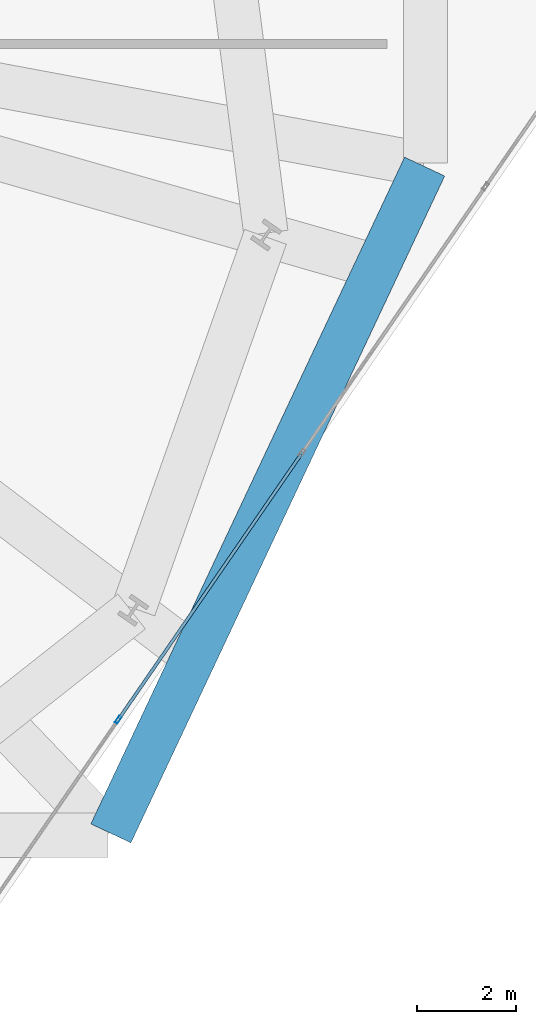
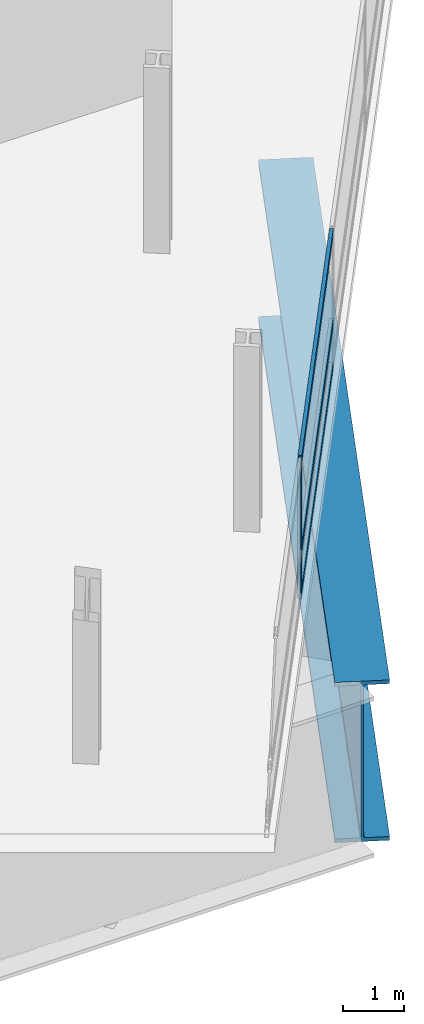
# One storey, part 8 of 26: 4 members, 1 beam, 1 element without a shape of its own.
"""IFC4 building model written with IfcOpenShell, lengths in metres."""

import ifcopenshell
import ifcopenshell.guid

model = None  # the IFC model being written
_history = None  # IfcOwnerHistory: only IFC2X3 demands one
_inside = {}  # id of a spatial element -> (the spatial element, [elements in it])
_under = {}  # id of a project, library or spatial element -> (it, [spatial elements below it])
_declared = {}  # id of a project -> (the project, [libraries it declares])
_typed = {}  # id of a type object -> (the type object, [elements of that type])
_made_of = {}  # id of a material, layer set ... -> (it, [elements and type objects made of it])


def new_model(schema):
    """Start an empty IFC model of exactly this schema.

    Asked for "IFC4X3", IfcOpenShell would pick the latest addendum, in which some entities
    have other attributes; the version numbers below select the first issue.
    IFC2X3 requires an IfcOwnerHistory on every rooted entity: one is made here for all.
    """
    global model, _history
    if schema == "IFC4X3":
        model = ifcopenshell.file(schema_version=(4, 3, 0, 0))
    else:
        model = ifcopenshell.file(schema=schema)
    _inside.clear()
    _under.clear()
    _declared.clear()
    _typed.clear()
    _made_of.clear()
    _history = None
    if model.schema == "IFC2X3":
        org = make("IfcOrganization", Name="unknown")
        user = make(
            "IfcPersonAndOrganization",
            ThePerson=make("IfcPerson", FamilyName="unknown"),
            TheOrganization=org,
        )
        app = make(
            "IfcApplication",
            ApplicationDeveloper=org,
            Version="unknown",
            ApplicationFullName="unknown",
            ApplicationIdentifier="unknown",
        )
        _history = make(
            "IfcOwnerHistory",
            OwningUser=user,
            OwningApplication=app,
            ChangeAction="ADDED",
            CreationDate=0,
        )
    return model


def make(cls, **values):
    """One entity of the class cls with the attributes given. An attribute that is None is left unset."""
    return model.create_entity(
        cls, **{name: value for name, value in values.items() if value is not None}
    )


def rooted(cls, **values):
    """An entity with a GlobalId (a new one), such as an element, a storey or a relation."""
    return make(cls, GlobalId=ifcopenshell.guid.new(), OwnerHistory=_history, **values)


def si_unit(unit_type, name, prefix=None):
    """IfcSIUnit, for example si_unit("LENGTHUNIT", "METRE", prefix="MILLI")."""
    return make("IfcSIUnit", UnitType=unit_type, Prefix=prefix, Name=name)


def assignment(units):
    """IfcUnitAssignment: the units of a project."""
    return None if units is None else make("IfcUnitAssignment", Units=units)


def point(xyz):
    """IfcCartesianPoint."""
    return None if xyz is None else make("IfcCartesianPoint", Coordinates=xyz)


def direction(xyz):
    """IfcDirection."""
    return None if xyz is None else make("IfcDirection", DirectionRatios=xyz)


def frame(location, z_axis=None, x_axis=None):
    """IfcAxis2Placement3D, a coordinate frame: its origin and axes. An axis left out is left unset."""
    return make(
        "IfcAxis2Placement3D",
        Location=point(location),
        Axis=direction(z_axis),
        RefDirection=direction(x_axis),
    )


def frame_2d(location, x_axis=None):
    """IfcAxis2Placement2D, a coordinate frame in the plane: its origin and x axis."""
    return make(
        "IfcAxis2Placement2D", Location=point(location), RefDirection=direction(x_axis)
    )


def origin():
    """The frame at (0, 0, 0) with its axes left unset."""
    return frame((0.0, 0.0, 0.0))


def origin_2d():
    """The frame at (0, 0) in the plane with its x axis left unset."""
    return frame_2d((0.0, 0.0))


def place(relative_to, where):
    """IfcLocalPlacement: puts the frame where relative to a parent placement (None: the world)."""
    return make(
        "IfcLocalPlacement", PlacementRelTo=relative_to, RelativePlacement=where
    )


def context(
    kind, dimensions, precision=None, world=None, true_north=None, identifier=None
):
    """IfcGeometricRepresentationContext, for example the 3D "Model" context."""
    return make(
        "IfcGeometricRepresentationContext",
        ContextIdentifier=identifier,
        ContextType=kind,
        CoordinateSpaceDimension=dimensions,
        Precision=precision,
        WorldCoordinateSystem=world,
        TrueNorth=true_north,
    )


def subcontext(parent, identifier, kind, view, scale=None):
    """IfcGeometricRepresentationSubContext, for example "Body" below "Model"."""
    return make(
        "IfcGeometricRepresentationSubContext",
        ContextIdentifier=identifier,
        ContextType=kind,
        ParentContext=parent,
        TargetScale=scale,
        TargetView=view,
    )


def project(units=None, contexts=None):
    """IfcProject with its units and contexts."""
    return rooted(
        "IfcProject",
        Name="project",
        RepresentationContexts=contexts,
        UnitsInContext=assignment(units),
    )


def spatial(cls, under=None, at=None, **own):
    """A site, building, storey or space (cls), placed at a placement, below another one or the project."""
    s = rooted(cls, ObjectPlacement=at, **own)
    if under is not None:
        _under.setdefault(under.id(), (under, []))[1].append(s)
    return s


def profile(cls, at=None, kind="AREA", **sizes):
    """A parametric profile (cls). Its sizes go by their IFC names, for example OverallWidth=200.0."""
    return make(cls, ProfileType=kind, Position=at, **sizes)


def hollow_rectangle(**sizes):
    """IfcRectangleHollowProfileDef."""
    return profile("IfcRectangleHollowProfileDef", **sizes)


def i_section(**sizes):
    """IfcIShapeProfileDef."""
    return profile("IfcIShapeProfileDef", **sizes)


def extrude(swept, where, along, depth):
    """IfcExtrudedAreaSolid: the profile swept, set in the frame where, extruded along a direction by depth."""
    return make(
        "IfcExtrudedAreaSolid",
        SweptArea=swept,
        Position=where,
        ExtrudedDirection=direction(along),
        Depth=depth,
    )


def shape(context_of_items, identifier, shape_type, items):
    """IfcShapeRepresentation: the items that make up one representation, for example the "Body"."""
    return make(
        "IfcShapeRepresentation",
        ContextOfItems=context_of_items,
        RepresentationIdentifier=identifier,
        RepresentationType=shape_type,
        Items=items,
    )


def material(Name=None, Category=None):
    """IfcMaterial."""
    return make("IfcMaterial", Name=Name, Category=Category)


def layer(
    of_material, thickness, ventilated=None, Name=None, Category=None, Priority=None
):
    """IfcMaterialLayer: one layer of a wall or slab, of a material (None: an air gap)."""
    return make(
        "IfcMaterialLayer",
        Material=of_material,
        LayerThickness=thickness,
        IsVentilated=ventilated,
        Name=Name,
        Category=Category,
        Priority=Priority,
    )


def layer_set(layers, Name=None):
    """IfcMaterialLayerSet."""
    return make("IfcMaterialLayerSet", MaterialLayers=layers, LayerSetName=Name)


def material_profile(
    of_material, cross_section, Name=None, Category=None, Priority=None
):
    """IfcMaterialProfile: a cross section and its material."""
    return make(
        "IfcMaterialProfile",
        Name=Name,
        Material=of_material,
        Profile=cross_section,
        Priority=Priority,
        Category=Category,
    )


def profile_set(profiles, Name=None, composite=None):
    """IfcMaterialProfileSet."""
    return make(
        "IfcMaterialProfileSet",
        Name=Name,
        MaterialProfiles=profiles,
        CompositeProfile=composite,
    )


def made_of(thing, what):
    """Note that an element or type object is made of a material, layer set ...; save() writes the relation."""
    if what is not None:
        _made_of.setdefault(what.id(), (what, []))[1].append(thing)
    return thing


def type_object(cls, material=None, **own):
    """A type object (cls), such as IfcWallType, which elements share."""
    return made_of(rooted(cls, **own), material)


def element(
    cls,
    number,
    at=None,
    inside=None,
    cuts=None,
    type_object=None,
    material=None,
    context=None,
    identifier="Body",
    shape_type=None,
    held_by="IfcProductDefinitionShape",
    body=None,
    shapes=None,
    **own,
):
    """One element of the class cls, such as IfcWall. Its Tag is "e" and its number.

    at: its placement. inside: the storey or other place that contains it. cuts: it is an
    opening in that element (IfcRelVoidsElement). A single representation is given by context,
    identifier, shape_type and body (its items); several are given by shapes. held_by: the class
    of the entity that holds the representations. save() writes the other relations.
    """
    e = rooted(cls, Tag="e%d" % number, ObjectPlacement=at, **own)
    if body is not None:
        shapes = [shape(context, identifier, shape_type, body)]
    if shapes is not None:
        e.Representation = make(held_by, Representations=shapes)
    if inside is not None:
        _inside.setdefault(inside.id(), (inside, []))[1].append(e)
    if cuts is not None:
        rooted(
            "IfcRelVoidsElement", RelatingBuildingElement=cuts, RelatedOpeningElement=e
        )
    if type_object is not None:
        _typed.setdefault(type_object.id(), (type_object, []))[1].append(e)
    return made_of(e, material)


def aggregate(whole, parts):
    """IfcRelAggregates: a whole, such as a stair, and the parts it consists of."""
    return rooted("IfcRelAggregates", RelatingObject=whole, RelatedObjects=parts)


def save(model, path):
    """Write the relations noted so far, then the file.

    IfcRelAggregates (storeys below a building ...), IfcRelContainedInSpatialStructure (elements
    in a storey), IfcRelDefinesByType, IfcRelAssociatesMaterial and IfcRelDeclares: one each for
    every whole, place, type object, material and project.
    """
    for whole, parts in _under.values():
        aggregate(whole, parts)
    for where, things in _inside.values():
        rooted(
            "IfcRelContainedInSpatialStructure",
            RelatedElements=things,
            RelatingStructure=where,
        )
    for kind, things in _typed.values():
        rooted("IfcRelDefinesByType", RelatedObjects=things, RelatingType=kind)
    for what, things in _made_of.values():
        rooted("IfcRelAssociatesMaterial", RelatedObjects=things, RelatingMaterial=what)
    for by, libraries in _declared.values():
        rooted("IfcRelDeclares", RelatingContext=by, RelatedDefinitions=libraries)
    model.write(path)


model = new_model("IFC4")

# Units and contexts
model_context = context("Model", 3, precision=1e-05, world=origin(), true_north=direction((0.0, 1.0)))
body_context = subcontext(model_context, "Body", "Model", "MODEL_VIEW")
ifc_project = project(units=[si_unit("LENGTHUNIT", "METRE"), si_unit("AREAUNIT", "SQUARE_METRE"), si_unit("VOLUMEUNIT", "CUBIC_METRE"), si_unit("PLANEANGLEUNIT", "RADIAN"), si_unit("MASSUNIT", "GRAM", prefix="KILO")], contexts=[model_context])

# Site, building, storey
site_placement = place(None, origin())
site = spatial("IfcSite", under=ifc_project, at=site_placement, CompositionType="ELEMENT")
building_placement = place(site_placement, origin())
building = spatial("IfcBuilding", under=site, at=building_placement, Name="Varnelok Gate Tower", CompositionType="ELEMENT")
storey_placement = place(building_placement, frame((0.0, 0.0, 27.0)))
storey = spatial("IfcBuildingStorey", under=building, at=storey_placement, Name="L05", CompositionType="ELEMENT", Elevation=27.0)

# Beam
ifc_material_1 = material(Name="Structural Steel ASTM A572 Grade 50", Category="steel")
ifc_material_profile_1 = material_profile(ifc_material_1, i_section(OverallWidth=0.89990234375, OverallDepth=3.199951171875, WebThickness=0.0400390625, FlangeThickness=0.074951171875, FilletRadius=0.030029296875, at=origin_2d()), Name="PG3200X900")
ifc_profile_set_1 = profile_set([ifc_material_profile_1], Name="Structural Steel ASTM A572 Grade 50")
beam_type = type_object("IfcBeamType", Name="BM-TR-PG3200", PredefinedType="BEAM", material=ifc_profile_set_1)
beam_placement = place(storey_placement, frame((71.217041015625, 0.836181640625, -1.85009765625), z_axis=(0.425799395591, 0.904817591957, 0.0), x_axis=(-0.904817591957, 0.425799395591, 0.0)))
element("IfcBeam", 1, at=beam_placement, inside=storey, type_object=beam_type, Name="L05 Transfer Support Ring Girder 4", PredefinedType="BEAM", context=body_context, shape_type="SweptSolid", body=[
    extrude(i_section(OverallWidth=0.89990234375, OverallDepth=3.199951171875, WebThickness=0.0400390625, FlangeThickness=0.074951171875, FilletRadius=0.030029296875, at=origin_2d()), origin(), (0.0, 0.0, 1.0), 14.95068359375),
])

# Curtain wall, members
ifc_material_2 = material(Name="Anodized Aluminum Alloy 6063-T6", Category="aluminium")
ifc_layer = layer(ifc_material_2, 0.179931640625)
ifc_layer_set = layer_set([ifc_layer], Name="Anodized Aluminum Alloy 6063-T6")
curtain_wall_type = type_object("IfcCurtainWallType", Name="CW3-HOTEL-VISION", PredefinedType="USERDEFINED", material=ifc_layer_set)
curtain_wall_placement = place(storey_placement, origin())
curtain_wall = element("IfcCurtainWall", 2, at=curtain_wall_placement, inside=storey, type_object=curtain_wall_type, Name="L05 East End Vision Curtain Wall", ObjectType="UNITISED CURTAIN WALL", PredefinedType="USERDEFINED")
ifc_material_profile_2 = material_profile(ifc_material_2, hollow_rectangle(XDim=0.06494140625, YDim=0.159912109375, WallThickness=0.00390625, at=origin_2d()), Name="ALU160X65X4")
ifc_profile_set_2 = profile_set([ifc_material_profile_2], Name="Anodized Aluminum Alloy 6063-T6")
member_type_1 = type_object("IfcMemberType", Name="CW-MULL-160", PredefinedType="MULLION", material=ifc_profile_set_2)
member_1_placement = place(storey_placement, frame((71.3671875, 3.142578125, 0.0), z_axis=(0.0, 0.0, 1.0), x_axis=(0.823532685111, -0.567268822124, 0.0)))
member_1 = element("IfcMember", 3, at=member_1_placement, type_object=member_type_1, Name="CW3 mullion 4", PredefinedType="MULLION", context=body_context, shape_type="SweptSolid", body=[
    extrude(hollow_rectangle(XDim=0.06494140625, YDim=0.159912109375, WallThickness=0.00390625, at=origin_2d()), origin(), (0.0, 0.0, 1.0), 2.72998046875),
])
ifc_material_profile_3 = material_profile(ifc_material_2, hollow_rectangle(XDim=0.06494140625, YDim=0.159912109375, WallThickness=0.00390625, at=origin_2d()), Name="ALU160X65X4")
ifc_profile_set_3 = profile_set([ifc_material_profile_3], Name="Anodized Aluminum Alloy 6063-T6")
member_type_2 = type_object("IfcMemberType", Name="CW-TRAN-160", PredefinedType="USERDEFINED", material=ifc_profile_set_3)
member_2_placement = place(storey_placement, frame((75.07373046875, 8.523681640625, 0.032470703125), z_axis=(-0.56723619486, -0.82355515859, 0.0), x_axis=(0.82355515859, -0.56723619486, 0.0)))
member_2 = element("IfcMember", 4, at=member_2_placement, type_object=member_type_2, Name="CW3 transom 3.1", ObjectType="TRANSOM", PredefinedType="USERDEFINED", context=body_context, shape_type="SweptSolid", body=[
    extrude(hollow_rectangle(XDim=0.06494140625, YDim=0.159912109375, WallThickness=0.00390625, at=origin_2d()), origin(), (0.0, 0.0, 1.0), 6.501708984375),
])
member_3_placement = place(storey_placement, frame((75.07373046875, 8.523681640625, 0.89990234375), z_axis=(-0.56723619486, -0.82355515859, 0.0), x_axis=(0.82355515859, -0.56723619486, 0.0)))
member_3 = element("IfcMember", 5, at=member_3_placement, type_object=member_type_2, Name="CW3 transom 3.2", ObjectType="TRANSOM", PredefinedType="USERDEFINED", context=body_context, shape_type="SweptSolid", body=[
    extrude(hollow_rectangle(XDim=0.06494140625, YDim=0.159912109375, WallThickness=0.00390625, at=origin_2d()), origin(), (0.0, 0.0, 1.0), 6.501708984375),
])
member_4_placement = place(storey_placement, frame((75.07373046875, 8.523681640625, 2.697509765625), z_axis=(-0.56723619486, -0.82355515859, 0.0), x_axis=(0.82355515859, -0.56723619486, 0.0)))
member_4 = element("IfcMember", 6, at=member_4_placement, type_object=member_type_2, Name="CW3 transom 3.3", ObjectType="TRANSOM", PredefinedType="USERDEFINED", context=body_context, shape_type="SweptSolid", body=[
    extrude(hollow_rectangle(XDim=0.06494140625, YDim=0.159912109375, WallThickness=0.00390625, at=origin_2d()), origin(), (0.0, 0.0, 1.0), 6.501708984375),
])
aggregate(curtain_wall, [member_1, member_2, member_3, member_4])

save(model, "model.ifc")
